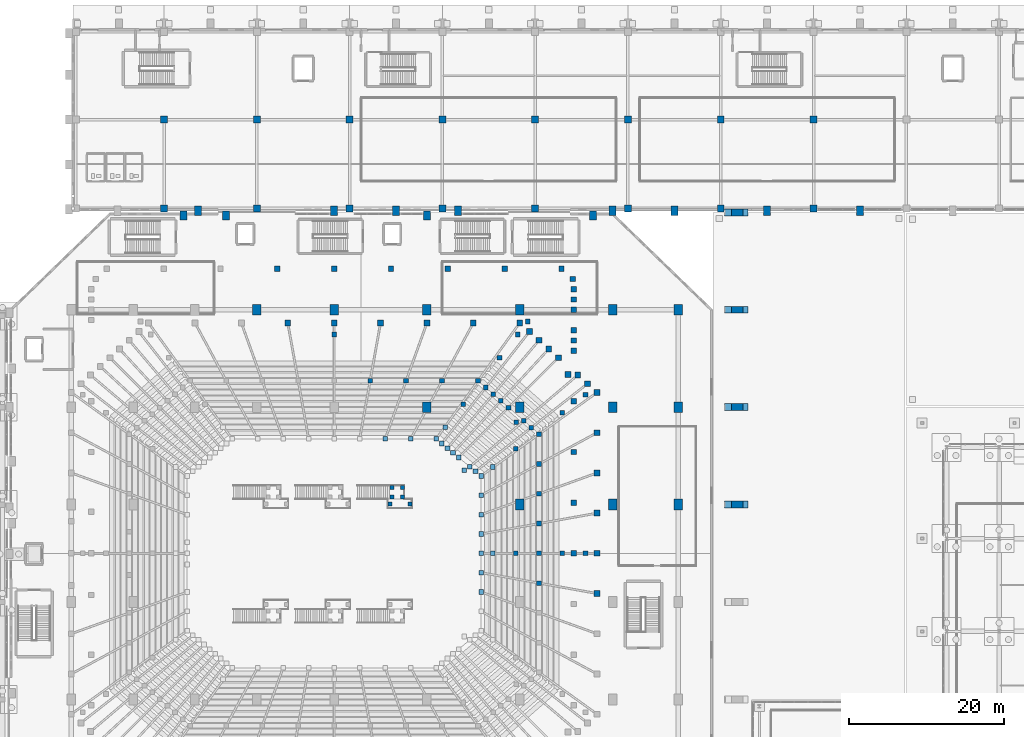
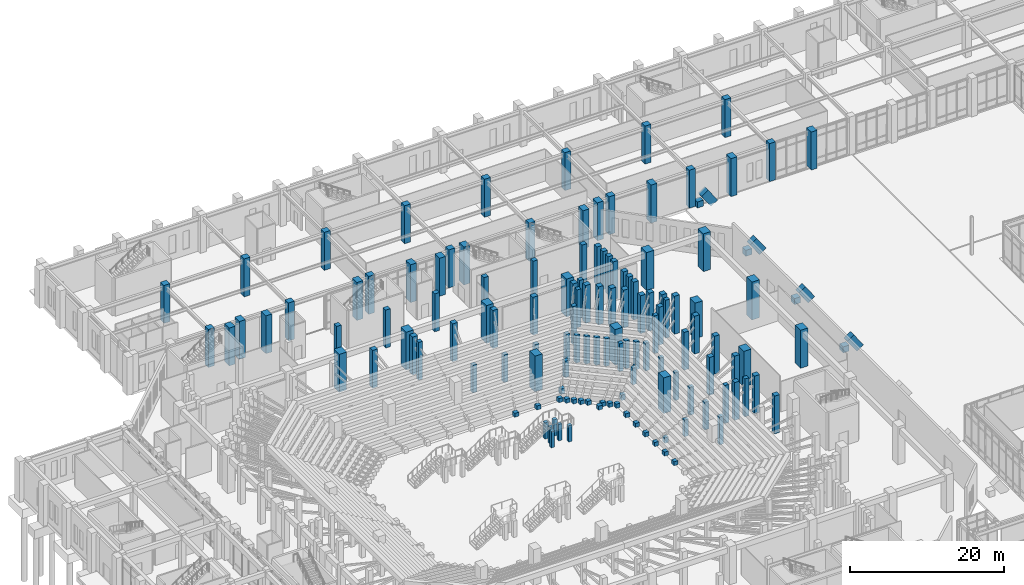
# One storey, part 12 of 143: 139 columns.
"""IFC4 building model written with IfcOpenShell, lengths in metres."""

from ifc_helpers import new_model, si_unit, derived_unit, direction, frame, origin, origin_2d, place, context, subcontext, project, spatial, rectangle, extrude, material, material_profile, profile_set, type_object, element, save


model = new_model("IFC4")

# Units and contexts
model_context = context("Model", 3, precision=1e-05, world=origin(), true_north=direction((0.0, 1.0)))
body_context = subcontext(model_context, "Body", "Model", "MODEL_VIEW")
ifc_project = project(units=[si_unit("LENGTHUNIT", "METRE"), si_unit("AREAUNIT", "SQUARE_METRE"), si_unit("VOLUMEUNIT", "CUBIC_METRE"), si_unit("PLANEANGLEUNIT", "RADIAN"), si_unit("MASSUNIT", "GRAM", prefix="KILO"), derived_unit("THERMALTRANSMITTANCEUNIT", [(si_unit("MASSUNIT", "GRAM", prefix="KILO"), 1), (si_unit("TIMEUNIT", "SECOND"), -3), (si_unit("THERMODYNAMICTEMPERATUREUNIT", "KELVIN"), -1)])], contexts=[model_context])

# Site, building, storey
site_placement = place(None, origin())
site = spatial("IfcSite", under=ifc_project, at=site_placement, CompositionType="ELEMENT")
building_placement = place(site_placement, origin())
building = spatial("IfcBuilding", under=site, at=building_placement, Name="Valcora Ridge Arena", CompositionType="ELEMENT")
storey_placement = place(building_placement, origin())
storey = spatial("IfcBuildingStorey", under=building, at=storey_placement, Name="L00", CompositionType="ELEMENT", Elevation=0.0)

# Columns
ifc_material_1 = material(Name="Bush-hammered Andean travertine architectural concrete C45/55", Category="masonry")
ifc_material_profile_1 = material_profile(ifc_material_1, rectangle(XDim=0.89990234375, YDim=1.199951171875, at=origin_2d()), Name="RC 900x1200")
ifc_profile_set_1 = profile_set([ifc_material_profile_1], Name="Bush-hammered Andean travertine architectural concrete C45/55")
column_type_1 = type_object("IfcColumnType", Name="TY-COLUMN-C-BUTT-1200", PredefinedType="PILASTER", material=ifc_profile_set_1)
for number, where, z_axis, x_axis, name in (
    (1, (38.5, 107.800048828125, 0.0), (0.0, 0.0, 1.0), (1.0, 0.0, 0.0), "C-BUTT-1200 COL-C-BUTT-1200-0018"),
    (2, (44.0, 107.800048828125, 0.0), (0.0, 0.0, 1.0), (1.0, 0.0, 0.0), "C-BUTT-1200 COL-C-BUTT-1200-0022"),
    (3, (70.0, 107.800048828125, 0.0), (0.0, 0.0, 1.0), (1.0, 0.0, 0.0), "C-BUTT-1200 COL-C-BUTT-1200-0026"),
    (4, (91.5, 107.800048828125, 0.0), (0.0, 0.0, 1.0), (1.0, 0.0, 0.0), "C-BUTT-1200 COL-C-BUTT-1200-0030"),
    (5, (40.39990234375, 108.419921875, 0.0), (0.0, 0.0, 1.0), (1.0, 0.0, 0.0), "C-BUTT-1200 COL-C-BUTT-1200-0332"),
    (6, (58.0, 108.419921875, 0.0), (0.0, 0.0, 1.0), (1.0, 0.0, 0.0), "C-BUTT-1200 COL-C-BUTT-1200-0336"),
    (7, (66.0, 108.419921875, 0.0), (0.0, 0.0, 1.0), (1.0, 0.0, 0.0), "C-BUTT-1200 COL-C-BUTT-1200-0340"),
    (8, (74.0, 108.419921875, 0.0), (0.0, 0.0, 1.0), (1.0, 0.0, 0.0), "C-BUTT-1200 COL-C-BUTT-1200-0344"),
    (9, (94.0, 108.419921875, 0.0), (0.0, 0.0, 1.0), (1.0, 0.0, 0.0), "C-BUTT-1200 COL-C-BUTT-1200-0348"),
    (10, (102.0, 108.419921875, 0.0), (0.0, 0.0, 1.0), (1.0, 0.0, 0.0), "C-BUTT-1200 COL-C-BUTT-1200-0352"),
    (11, (114.0, 108.419921875, 0.0), (0.0, 0.0, 1.0), (1.0, 0.0, 0.0), "C-BUTT-1200 COL-C-BUTT-1200-0356"),
    (12, (126.0, 108.419921875, 0.0), (0.0, 0.0, 1.0), (1.0, 0.0, 0.0), "C-BUTT-1200 COL-C-BUTT-1200-0360"),
):
    element("IfcColumn", number, at=place(storey_placement, frame(where, z_axis=z_axis, x_axis=x_axis)), inside=storey, type_object=column_type_1, Name=name, PredefinedType="PILASTER", context=body_context, shape_type="SweptSolid", body=[
        extrude(rectangle(XDim=0.89990234375, YDim=1.199951171875, at=origin_2d()), origin(), (0.0, 0.0, 1.0), 6.0),
    ])
ifc_material_2 = material(Name="Concrete C40/50", Category="concrete")
ifc_material_profile_2 = material_profile(ifc_material_2, rectangle(XDim=1.10009765625, YDim=1.39990234375, at=origin_2d()), Name="RC 1100x1400")
ifc_profile_set_2 = profile_set([ifc_material_profile_2], Name="Concrete C40/50")
column_type_2 = type_object("IfcColumnType", Name="TY-COLUMN-C-RC1100", PredefinedType="COLUMN", material=ifc_profile_set_2)
for number, where, z_axis, x_axis, name in (
    (13, (48.0, 95.60009765625, 0.0), (0.0, 0.0, 1.0), (1.0, 0.0, 0.0), "C-RC1100 COL-C-RC1100-0040"),
    (14, (58.0, 95.60009765625, 0.0), (0.0, 0.0, 1.0), (1.0, 0.0, 0.0), "C-RC1100 COL-C-RC1100-0048"),
):
    element("IfcColumn", number, at=place(storey_placement, frame(where, z_axis=z_axis, x_axis=x_axis)), inside=storey, type_object=column_type_2, Name=name, PredefinedType="COLUMN", context=body_context, shape_type="SweptSolid", body=[
        extrude(rectangle(XDim=1.10009765625, YDim=1.39990234375, at=origin_2d()), origin(), (0.0, 0.0, 1.0), 6.0),
    ])
column_1_placement = place(storey_placement, frame((70.0, 83.0, 0.0), z_axis=(0.0, 0.0, 1.0), x_axis=(1.0, 0.0, 0.0)))
element("IfcColumn", 15, at=column_1_placement, inside=storey, type_object=column_type_2, Name="C-RC1100 COL-C-RC1100-0054", PredefinedType="COLUMN", context=body_context, shape_type="SweptSolid", body=[
    extrude(rectangle(XDim=1.10009765625, YDim=1.39990234375, at=origin_2d()), origin(), (0.0, 0.0, 1.0), 5.639892578125),
])
column_2_placement = place(storey_placement, frame((70.0, 95.60009765625, 0.0), z_axis=(0.0, 0.0, 1.0), x_axis=(1.0, 0.0, 0.0)))
element("IfcColumn", 16, at=column_2_placement, inside=storey, type_object=column_type_2, Name="C-RC1100 COL-C-RC1100-0056", PredefinedType="COLUMN", context=body_context, shape_type="SweptSolid", body=[
    extrude(rectangle(XDim=1.10009765625, YDim=1.39990234375, at=origin_2d()), origin(), (0.0, 0.0, 1.0), 6.0),
])
for number, where, z_axis, x_axis, name in (
    (17, (82.0, 70.39990234375, 0.0), (0.0, 0.0, 1.0), (1.0, 0.0, 0.0), "C-RC1100 COL-C-RC1100-0064"),
    (18, (82.0, 83.0, 0.0), (0.0, 0.0, 1.0), (1.0, 0.0, 0.0), "C-RC1100 COL-C-RC1100-0066"),
):
    element("IfcColumn", number, at=place(storey_placement, frame(where, z_axis=z_axis, x_axis=x_axis)), inside=storey, type_object=column_type_2, Name=name, PredefinedType="COLUMN", context=body_context, shape_type="SweptSolid", body=[
        extrude(rectangle(XDim=1.10009765625, YDim=1.39990234375, at=origin_2d()), origin(), (0.0, 0.0, 1.0), 5.639892578125),
    ])
column_3_placement = place(storey_placement, frame((82.0, 95.60009765625, 0.0), z_axis=(0.0, 0.0, 1.0), x_axis=(1.0, 0.0, 0.0)))
element("IfcColumn", 19, at=column_3_placement, inside=storey, type_object=column_type_2, Name="C-RC1100 COL-C-RC1100-0068", PredefinedType="COLUMN", context=body_context, shape_type="SweptSolid", body=[
    extrude(rectangle(XDim=1.10009765625, YDim=1.39990234375, at=origin_2d()), origin(), (0.0, 0.0, 1.0), 6.0),
])
for number, where, z_axis, x_axis, name in (
    (20, (94.0, 70.39990234375, 0.0), (0.0, 0.0, 1.0), (1.0, 0.0, 0.0), "C-RC1100 COL-C-RC1100-0076"),
    (21, (94.0, 83.0, 0.0), (0.0, 0.0, 1.0), (1.0, 0.0, 0.0), "C-RC1100 COL-C-RC1100-0078"),
):
    element("IfcColumn", number, at=place(storey_placement, frame(where, z_axis=z_axis, x_axis=x_axis)), inside=storey, type_object=column_type_2, Name=name, PredefinedType="COLUMN", context=body_context, shape_type="SweptSolid", body=[
        extrude(rectangle(XDim=1.10009765625, YDim=1.39990234375, at=origin_2d()), origin(), (0.0, 0.0, 1.0), 5.639892578125),
    ])
for number, where, z_axis, x_axis, name in (
    (22, (94.0, 95.60009765625, 0.0), (0.0, 0.0, 1.0), (1.0, 0.0, 0.0), "C-RC1100 COL-C-RC1100-0080"),
    (23, (102.5, 70.39990234375, 0.0), (0.0, 0.0, 1.0), (1.0, 0.0, 0.0), "C-RC1100 COL-C-RC1100-0088"),
    (24, (102.5, 83.0, 0.0), (0.0, 0.0, 1.0), (1.0, 0.0, 0.0), "C-RC1100 COL-C-RC1100-0090"),
    (25, (102.5, 95.60009765625, 0.0), (0.0, 0.0, 1.0), (1.0, 0.0, 0.0), "C-RC1100 COL-C-RC1100-0092"),
):
    element("IfcColumn", number, at=place(storey_placement, frame(where, z_axis=z_axis, x_axis=x_axis)), inside=storey, type_object=column_type_2, Name=name, PredefinedType="COLUMN", context=body_context, shape_type="SweptSolid", body=[
        extrude(rectangle(XDim=1.10009765625, YDim=1.39990234375, at=origin_2d()), origin(), (0.0, 0.0, 1.0), 6.0),
    ])
ifc_material_profile_3 = material_profile(ifc_material_2, rectangle(XDim=0.89990234375, YDim=0.89990234375, at=origin_2d()), Name="RC 900x900")
ifc_profile_set_3 = profile_set([ifc_material_profile_3], Name="Concrete C40/50")
column_type_3 = type_object("IfcColumnType", Name="TY-COLUMN-C-RC900B", PredefinedType="COLUMN", material=ifc_profile_set_3)
for number, where, z_axis, x_axis, name in (
    (26, (36.0, 108.699951171875, 0.0), (0.0, 0.0, 1.0), (1.0, 0.0, 0.0), "C-RC900B COL-C-RC900B-0011"),
    (27, (36.0, 120.199951171875, 0.0), (0.0, 0.0, 1.0), (1.0, 0.0, 0.0), "C-RC900B COL-C-RC900B-0014"),
    (28, (48.0, 108.699951171875, 0.0), (0.0, 0.0, 1.0), (1.0, 0.0, 0.0), "C-RC900B COL-C-RC900B-0020"),
    (29, (48.0, 120.199951171875, 0.0), (0.0, 0.0, 1.0), (1.0, 0.0, 0.0), "C-RC900B COL-C-RC900B-0023"),
    (30, (60.0, 108.699951171875, 0.0), (0.0, 0.0, 1.0), (1.0, 0.0, 0.0), "C-RC900B COL-C-RC900B-0029"),
    (31, (60.0, 120.199951171875, 0.0), (0.0, 0.0, 1.0), (1.0, 0.0, 0.0), "C-RC900B COL-C-RC900B-0032"),
    (32, (72.0, 108.699951171875, 0.0), (0.0, 0.0, 1.0), (1.0, 0.0, 0.0), "C-RC900B COL-C-RC900B-0038"),
    (33, (72.0, 120.199951171875, 0.0), (0.0, 0.0, 1.0), (1.0, 0.0, 0.0), "C-RC900B COL-C-RC900B-0041"),
    (34, (84.0, 108.699951171875, 0.0), (0.0, 0.0, 1.0), (1.0, 0.0, 0.0), "C-RC900B COL-C-RC900B-0047"),
    (35, (84.0, 120.199951171875, 0.0), (0.0, 0.0, 1.0), (1.0, 0.0, 0.0), "C-RC900B COL-C-RC900B-0050"),
    (36, (96.0, 108.699951171875, 0.0), (0.0, 0.0, 1.0), (1.0, 0.0, 0.0), "C-RC900B COL-C-RC900B-0056"),
    (37, (96.0, 120.199951171875, 0.0), (0.0, 0.0, 1.0), (1.0, 0.0, 0.0), "C-RC900B COL-C-RC900B-0059"),
    (38, (108.0, 108.699951171875, 0.0), (0.0, 0.0, 1.0), (1.0, 0.0, 0.0), "C-RC900B COL-C-RC900B-0065"),
    (39, (108.0, 120.199951171875, 0.0), (0.0, 0.0, 1.0), (1.0, 0.0, 0.0), "C-RC900B COL-C-RC900B-0068"),
    (40, (120.0, 108.699951171875, 0.0), (0.0, 0.0, 1.0), (1.0, 0.0, 0.0), "C-RC900B COL-C-RC900B-0074"),
    (41, (120.0, 120.199951171875, 0.0), (0.0, 0.0, 1.0), (1.0, 0.0, 0.0), "C-RC900B COL-C-RC900B-0077"),
):
    element("IfcColumn", number, at=place(storey_placement, frame(where, z_axis=z_axis, x_axis=x_axis)), inside=storey, type_object=column_type_3, Name=name, PredefinedType="COLUMN", context=body_context, shape_type="SweptSolid", body=[
        extrude(rectangle(XDim=0.89990234375, YDim=0.89990234375, at=origin_2d()), origin(), (0.0, 0.0, 1.0), 6.0),
    ])
ifc_material_profile_4 = material_profile(ifc_material_2, rectangle(XDim=0.5, YDim=0.5, at=origin_2d()), Name="RC 500x500")
ifc_profile_set_4 = profile_set([ifc_material_profile_4], Name="Concrete C40/50")
column_type_4 = type_object("IfcColumnType", Name="TY-COLUMN-C-RKR500", PredefinedType="COLUMN", material=ifc_profile_set_4)
for number, where, z_axis, x_axis, name in (
    (42, (65.47998046875, 71.3798828125, 0.0), (0.0, 0.0, 1.0), (1.0, 0.0, 0.0), "C-RKR500 COL-VS-C-RKR500-0062"),
    (43, (65.47998046875, 72.6201171875, 0.0), (0.0, 0.0, 1.0), (1.0, 0.0, 0.0), "C-RKR500 COL-VS-C-RKR500-0064"),
    (44, (66.820068359375, 71.3798828125, 0.0), (0.0, 0.0, 1.0), (1.0, 0.0, 0.0), "C-RKR500 COL-VS-C-RKR500-0066"),
    (45, (66.820068359375, 72.6201171875, 0.0), (0.0, 0.0, 1.0), (1.0, 0.0, 0.0), "C-RKR500 COL-VS-C-RKR500-0068"),
    (46, (65.199951171875, 70.5, 0.0), (0.0, 0.0, 1.0), (1.0, 0.0, 0.0), "C-RKR500 COL-VS-C-RKR500-0070"),
    (47, (67.800048828125, 70.5, 0.0), (0.0, 0.0, 1.0), (1.0, 0.0, 0.0), "C-RKR500 COL-VS-C-RKR500-0072"),
):
    element("IfcColumn", number, at=place(storey_placement, frame(where, z_axis=z_axis, x_axis=x_axis)), inside=storey, type_object=column_type_4, Name=name, PredefinedType="COLUMN", context=body_context, shape_type="SweptSolid", body=[
        extrude(rectangle(XDim=0.5, YDim=0.5, at=origin_2d()), origin(), (0.0, 0.0, 1.0), 2.60009765625),
    ])
ifc_material_profile_5 = material_profile(ifc_material_2, rectangle(XDim=0.60009765625, YDim=0.60009765625, at=origin_2d()), Name="RC 600x600")
ifc_profile_set_5 = profile_set([ifc_material_profile_5], Name="Concrete C40/50")
column_type_5 = type_object("IfcColumnType", Name="TY-COLUMN-C-RKR600", PredefinedType="COLUMN", material=ifc_profile_set_5)
for number, where, z_axis, x_axis, name in (
    (48, (84.5, 60.25, 0.0), (0.0, 0.0, 1.0), (1.0, 0.0, 0.0), "C-RKR600 COL-RK-C-RKR600-0038"),
    (49, (84.5, 64.10009765625, 0.0), (0.0, 0.0, 1.0), (1.0, 0.0, 0.0), "C-RKR600 COL-RK-C-RKR600-0040"),
    (50, (84.5, 67.949951171875, 0.0), (0.0, 0.0, 1.0), (1.0, 0.0, 0.0), "C-RKR600 COL-RK-C-RKR600-0042"),
    (51, (84.5, 71.800048828125, 0.0), (0.0, 0.0, 1.0), (1.0, 0.0, 0.0), "C-RKR600 COL-RK-C-RKR600-0044"),
    (52, (84.5, 75.64990234375, 0.0), (0.0, 0.0, 1.0), (1.0, 0.0, 0.0), "C-RKR600 COL-RK-C-RKR600-0046"),
    (53, (84.5, 79.5, 0.0), (0.0, 0.0, 1.0), (1.0, 0.0, 0.0), "C-RKR600 COL-RK-C-RKR600-0048"),
    (54, (83.512451171875, 80.362548828125, 0.0), (0.0, 0.0, 1.0), (1.0, 0.0, 0.0), "C-RKR600 COL-RK-C-RKR600-0050"),
    (55, (82.52490234375, 81.22509765625, 0.0), (0.0, 0.0, 1.0), (1.0, 0.0, 0.0), "C-RKR600 COL-RK-C-RKR600-0052"),
    (56, (80.550048828125, 82.949951171875, 0.0), (0.0, 0.0, 1.0), (1.0, 0.0, 0.0), "C-RKR600 COL-RK-C-RKR600-0054"),
    (57, (79.5625, 83.8125, 0.0), (0.0, 0.0, 1.0), (1.0, 0.0, 0.0), "C-RKR600 COL-RK-C-RKR600-0056"),
    (58, (78.574951171875, 84.675048828125, 0.0), (0.0, 0.0, 1.0), (1.0, 0.0, 0.0), "C-RKR600 COL-RK-C-RKR600-0058"),
    (59, (77.58740234375, 85.53759765625, 0.0), (0.0, 0.0, 1.0), (1.0, 0.0, 0.0), "C-RKR600 COL-RK-C-RKR600-0060"),
    (60, (76.60009765625, 86.39990234375, 0.0), (0.0, 0.0, 1.0), (1.0, 0.0, 0.0), "C-RKR600 COL-RK-C-RKR600-0062"),
    (61, (71.949951171875, 86.39990234375, 0.0), (0.0, 0.0, 1.0), (1.0, 0.0, 0.0), "C-RKR600 COL-RK-C-RKR600-0064"),
    (62, (67.300048828125, 86.39990234375, 0.0), (0.0, 0.0, 1.0), (1.0, 0.0, 0.0), "C-RKR600 COL-RK-C-RKR600-0066"),
    (63, (62.64990234375, 86.39990234375, 0.0), (0.0, 0.0, 1.0), (1.0, 0.0, 0.0), "C-RKR600 COL-RK-C-RKR600-0068"),
    (64, (81.53759765625, 81.03759765625, 0.0), (0.0, 0.0, 1.0), (1.0, 0.0, 0.0), "C-RKR600 COL-RKN-C-RKR600-0004"),
):
    element("IfcColumn", number, at=place(storey_placement, frame(where, z_axis=z_axis, x_axis=x_axis)), inside=storey, type_object=column_type_5, Name=name, PredefinedType="COLUMN", context=body_context, shape_type="SweptSolid", body=[
        extrude(rectangle(XDim=0.60009765625, YDim=0.60009765625, at=origin_2d()), origin(), (0.0, 0.0, 1.0), 4.39990234375),
    ])
ifc_material_profile_6 = material_profile(ifc_material_2, rectangle(XDim=0.60009765625, YDim=0.60009765625, at=origin_2d()), Name="RC 600x600")
ifc_profile_set_6 = profile_set([ifc_material_profile_6], Name="Concrete C40/50")
column_type_6 = type_object("IfcColumnType", Name="TY-COLUMN-C-RKR600I", PredefinedType="COLUMN", material=ifc_profile_set_6)
for number, where, z_axis, x_axis, name in (
    (65, (77.0, 59.10009765625, 0.0), (0.0, 0.0, 1.0), (1.0, 0.0, 0.0), "C-RKR600I COL-RK-C-RKR600I-0036"),
    (66, (77.0, 61.60009765625, 0.0), (0.0, 0.0, 1.0), (1.0, 0.0, 0.0), "C-RKR600I COL-RK-C-RKR600I-0038"),
    (67, (77.0, 64.10009765625, 0.0), (0.0, 0.0, 1.0), (1.0, 0.0, 0.0), "C-RKR600I COL-RK-C-RKR600I-0040"),
    (68, (77.0, 66.60009765625, 0.0), (0.0, 0.0, 1.0), (1.0, 0.0, 0.0), "C-RKR600I COL-RK-C-RKR600I-0042"),
    (69, (77.0, 69.10009765625, 0.0), (0.0, 0.0, 1.0), (1.0, 0.0, 0.0), "C-RKR600I COL-RK-C-RKR600I-0044"),
    (70, (77.0, 71.60009765625, 0.0), (0.0, 0.0, 1.0), (1.0, 0.0, 0.0), "C-RKR600I COL-RK-C-RKR600I-0046"),
    (71, (77.0, 74.10009765625, 0.0), (0.0, 0.0, 1.0), (1.0, 0.0, 0.0), "C-RKR600I COL-RK-C-RKR600I-0048"),
    (72, (76.27490234375, 74.699951171875, 0.0), (0.0, 0.0, 1.0), (1.0, 0.0, 0.0), "C-RKR600I COL-RK-C-RKR600I-0050"),
    (73, (75.550048828125, 75.300048828125, 0.0), (0.0, 0.0, 1.0), (1.0, 0.0, 0.0), "C-RKR600I COL-RK-C-RKR600I-0052"),
    (74, (74.10009765625, 76.5, 0.0), (0.0, 0.0, 1.0), (1.0, 0.0, 0.0), "C-RKR600I COL-RK-C-RKR600I-0054"),
    (75, (73.375, 77.10009765625, 0.0), (0.0, 0.0, 1.0), (1.0, 0.0, 0.0), "C-RKR600I COL-RK-C-RKR600I-0056"),
    (76, (72.64990234375, 77.699951171875, 0.0), (0.0, 0.0, 1.0), (1.0, 0.0, 0.0), "C-RKR600I COL-RK-C-RKR600I-0058"),
    (77, (71.925048828125, 78.300048828125, 0.0), (0.0, 0.0, 1.0), (1.0, 0.0, 0.0), "C-RKR600I COL-RK-C-RKR600I-0060"),
    (78, (71.199951171875, 78.89990234375, 0.0), (0.0, 0.0, 1.0), (1.0, 0.0, 0.0), "C-RKR600I COL-RK-C-RKR600I-0062"),
    (79, (67.89990234375, 78.89990234375, 0.0), (0.0, 0.0, 1.0), (1.0, 0.0, 0.0), "C-RKR600I COL-RK-C-RKR600I-0064"),
    (80, (64.60009765625, 78.89990234375, 0.0), (0.0, 0.0, 1.0), (1.0, 0.0, 0.0), "C-RKR600I COL-RK-C-RKR600I-0066"),
    (81, (74.824951171875, 74.85009765625, 0.0), (0.0, 0.0, 1.0), (1.0, 0.0, 0.0), "C-RKR600I COL-RKN-C-RKR600I-0004"),
):
    element("IfcColumn", number, at=place(storey_placement, frame(where, z_axis=z_axis, x_axis=x_axis)), inside=storey, type_object=column_type_6, Name=name, PredefinedType="COLUMN", context=body_context, shape_type="SweptSolid", body=[
        extrude(rectangle(XDim=0.60009765625, YDim=0.60009765625, at=origin_2d()), origin(), (0.0, 0.0, 1.0), 0.64990234375),
    ])
for number, where, z_axis, x_axis, name in (
    (82, (78.5, 64.10009765625, 0.0), (0.0, 0.0, 1.0), (1.0, 0.0, 0.0), "C-RKR600I COL-R2-C-RKR600I-0005"),
    (83, (78.5, 75.27001953125, 0.0), (0.0, 0.0, 1.0), (1.0, 0.0, 0.0), "C-RKR600I COL-R2-C-RKR600I-0006"),
    (84, (72.3701171875, 80.39990234375, 0.0), (0.0, 0.0, 1.0), (1.0, 0.0, 0.0), "C-RKR600I COL-R2-C-RKR600I-0007"),
):
    element("IfcColumn", number, at=place(storey_placement, frame(where, z_axis=z_axis, x_axis=x_axis)), inside=storey, type_object=column_type_6, Name=name, PredefinedType="COLUMN", context=body_context, shape_type="SweptSolid", body=[
        extrude(rectangle(XDim=0.60009765625, YDim=0.60009765625, at=origin_2d()), origin(), (0.0, 0.0, 1.0), 0.85498046875),
    ])
for number, where, z_axis, x_axis, name in (
    (85, (81.5, 64.10009765625, 0.0), (0.0, 0.0, 1.0), (1.0, 0.0, 0.0), "C-RKR600I COL-R2-C-RKR600I-0016"),
    (86, (81.5, 77.610107421875, 0.0), (0.0, 0.0, 1.0), (1.0, 0.0, 0.0), "C-RKR600I COL-R2-C-RKR600I-0017"),
    (87, (74.7099609375, 83.39990234375, 0.0), (0.0, 0.0, 1.0), (1.0, 0.0, 0.0), "C-RKR600I COL-R2-C-RKR600I-0018"),
):
    element("IfcColumn", number, at=place(storey_placement, frame(where, z_axis=z_axis, x_axis=x_axis)), inside=storey, type_object=column_type_6, Name=name, PredefinedType="COLUMN", context=body_context, shape_type="SweptSolid", body=[
        extrude(rectangle(XDim=0.60009765625, YDim=0.60009765625, at=origin_2d()), origin(), (0.0, 0.0, 1.0), 2.614990234375),
    ])
for number, where, z_axis, x_axis, name in (
    (88, (87.5, 64.10009765625, 0.0), (0.0, 0.0, 1.0), (1.0, 0.0, 0.0), "C-RKR600I COL-R2-C-RKR600I-0026"),
    (89, (87.5, 82.2900390625, 0.0), (0.0, 0.0, 1.0), (1.0, 0.0, 0.0), "C-RKR600I COL-R2-C-RKR600I-0027"),
    (90, (79.389892578125, 89.39990234375, 0.0), (0.0, 0.0, 1.0), (1.0, 0.0, 0.0), "C-RKR600I COL-R2-C-RKR600I-0028"),
    (91, (90.5, 64.10009765625, 0.0), (0.0, 0.0, 1.0), (1.0, 0.0, 0.0), "C-RKR600I COL-R2-C-RKR600I-0041"),
    (92, (90.5, 84.6298828125, 0.0), (0.0, 0.0, 1.0), (1.0, 0.0, 0.0), "C-RKR600I COL-R2-C-RKR600I-0043"),
    (93, (81.72998046875, 92.39990234375, 0.0), (0.0, 0.0, 1.0), (1.0, 0.0, 0.0), "C-RKR600I COL-R2-C-RKR600I-0045"),
    (94, (58.0, 92.39990234375, 0.0), (0.0, 0.0, 1.0), (1.0, 0.0, 0.0), "C-RKR600I COL-R2-C-RKR600I-0047"),
    (95, (83.040283203125, 94.080078125, 0.0), (0.0, 0.0, 1.0), (1.0, 0.0, 0.0), "C-RKR600I COL-R2-C-RKR600I-0061"),
):
    element("IfcColumn", number, at=place(storey_placement, frame(where, z_axis=z_axis, x_axis=x_axis)), inside=storey, type_object=column_type_6, Name=name, PredefinedType="COLUMN", context=body_context, shape_type="SweptSolid", body=[
        extrude(rectangle(XDim=0.60009765625, YDim=0.60009765625, at=origin_2d()), origin(), (0.0, 0.0, 1.0), 6.0),
    ])
ifc_material_profile_7 = material_profile(ifc_material_2, rectangle(XDim=0.75, YDim=0.75, at=origin_2d()), Name="RC 750x750")
ifc_profile_set_7 = profile_set([ifc_material_profile_7], Name="Concrete C40/50")
column_type_7 = type_object("IfcColumnType", Name="TY-COLUMN-C-RKR750", PredefinedType="COLUMN", material=ifc_profile_set_7)
for number, where, z_axis, x_axis, name in (
    (96, (92.0, 58.89990234375, 0.0), (0.0, 0.0, 1.0), (1.0, 0.0, 0.0), "C-RKR750 COL-RK-C-RKR750-0038"),
    (97, (92.0, 64.10009765625, 0.0), (0.0, 0.0, 1.0), (1.0, 0.0, 0.0), "C-RKR750 COL-RK-C-RKR750-0040"),
    (98, (92.0, 69.300048828125, 0.0), (0.0, 0.0, 1.0), (1.0, 0.0, 0.0), "C-RKR750 COL-RK-C-RKR750-0042"),
    (99, (92.0, 74.5, 0.0), (0.0, 0.0, 1.0), (1.0, 0.0, 0.0), "C-RKR750 COL-RK-C-RKR750-0044"),
    (100, (92.0, 79.699951171875, 0.0), (0.0, 0.0, 1.0), (1.0, 0.0, 0.0), "C-RKR750 COL-RK-C-RKR750-0046"),
    (101, (92.0, 84.89990234375, 0.0), (0.0, 0.0, 1.0), (1.0, 0.0, 0.0), "C-RKR750 COL-RK-C-RKR750-0048"),
    (102, (90.75, 86.02490234375, 0.0), (0.0, 0.0, 1.0), (1.0, 0.0, 0.0), "C-RKR750 COL-RK-C-RKR750-0050"),
    (103, (89.5, 87.14990234375, 0.0), (0.0, 0.0, 1.0), (1.0, 0.0, 0.0), "C-RKR750 COL-RK-C-RKR750-0052"),
    (104, (87.0, 89.39990234375, 0.0), (0.0, 0.0, 1.0), (1.0, 0.0, 0.0), "C-RKR750 COL-RK-C-RKR750-0054"),
    (105, (85.75, 90.52490234375, 0.0), (0.0, 0.0, 1.0), (1.0, 0.0, 0.0), "C-RKR750 COL-RK-C-RKR750-0056"),
    (106, (84.5, 91.64990234375, 0.0), (0.0, 0.0, 1.0), (1.0, 0.0, 0.0), "C-RKR750 COL-RK-C-RKR750-0058"),
    (107, (83.25, 92.77490234375, 0.0), (0.0, 0.0, 1.0), (1.0, 0.0, 0.0), "C-RKR750 COL-RK-C-RKR750-0060"),
    (108, (82.0, 93.89990234375, 0.0), (0.0, 0.0, 1.0), (1.0, 0.0, 0.0), "C-RKR750 COL-RK-C-RKR750-0062"),
    (109, (76.0, 93.89990234375, 0.0), (0.0, 0.0, 1.0), (1.0, 0.0, 0.0), "C-RKR750 COL-RK-C-RKR750-0064"),
    (110, (70.0, 93.89990234375, 0.0), (0.0, 0.0, 1.0), (1.0, 0.0, 0.0), "C-RKR750 COL-RK-C-RKR750-0066"),
    (111, (64.0, 93.89990234375, 0.0), (0.0, 0.0, 1.0), (1.0, 0.0, 0.0), "C-RKR750 COL-RK-C-RKR750-0068"),
    (112, (58.0, 93.89990234375, 0.0), (0.0, 0.0, 1.0), (1.0, 0.0, 0.0), "C-RKR750 COL-RK-C-RKR750-0070"),
    (113, (52.0, 93.89990234375, 0.0), (0.0, 0.0, 1.0), (1.0, 0.0, 0.0), "C-RKR750 COL-RK-C-RKR750-0072"),
    (114, (88.25, 87.22509765625, 0.0), (0.0, 0.0, 1.0), (1.0, 0.0, 0.0), "C-RKR750 COL-RKN-C-RKR750-0004"),
):
    element("IfcColumn", number, at=place(storey_placement, frame(where, z_axis=z_axis, x_axis=x_axis)), inside=storey, type_object=column_type_7, Name=name, PredefinedType="COLUMN", context=body_context, shape_type="SweptSolid", body=[
        extrude(rectangle(XDim=0.75, YDim=0.75, at=origin_2d()), origin(), (0.0, 0.0, 1.0), 6.0),
    ])
ifc_material_profile_8 = material_profile(ifc_material_2, rectangle(XDim=0.699951171875, YDim=0.699951171875, at=origin_2d()), Name="RC 700x700")
ifc_profile_set_8 = profile_set([ifc_material_profile_8], Name="Concrete C40/50")
column_type_8 = type_object("IfcColumnType", Name="TY-COLUMN-C-RKRU700B", PredefinedType="COLUMN", material=ifc_profile_set_8)
for number, where, z_axis, x_axis, name in (
    (115, (89.0, 64.10009765625, 0.0), (0.0, 0.0, 1.0), (1.0, 0.0, 0.0), "C-RKRU700B COL-RK-C-RKRU700B-0097"),
    (116, (89.0, 70.64990234375, 0.0), (0.0, 0.0, 1.0), (1.0, 0.0, 0.0), "C-RKRU700B COL-RK-C-RKRU700B-0102"),
    (117, (89.0, 77.199951171875, 0.0), (0.0, 0.0, 1.0), (1.0, 0.0, 0.0), "C-RKRU700B COL-RK-C-RKRU700B-0107"),
    (118, (89.0, 83.75, 0.0), (0.0, 0.0, 1.0), (1.0, 0.0, 0.0), "C-RKRU700B COL-RK-C-RKRU700B-0112"),
    (119, (89.0, 90.300048828125, 0.0), (0.0, 0.0, 1.0), (1.0, 0.0, 0.0), "C-RKRU700B COL-RK-C-RKRU700B-0117"),
    (120, (89.0, 91.625, 0.0), (0.0, 0.0, 1.0), (1.0, 0.0, 0.0), "C-RKRU700B COL-RK-C-RKRU700B-0122"),
    (121, (89.0, 92.949951171875, 0.0), (0.0, 0.0, 1.0), (1.0, 0.0, 0.0), "C-RKRU700B COL-RK-C-RKRU700B-0127"),
    (122, (89.0, 95.60009765625, 0.0), (0.0, 0.0, 1.0), (1.0, 0.0, 0.0), "C-RKRU700B COL-RK-C-RKRU700B-0132"),
    (123, (89.0, 96.925048828125, 0.0), (0.0, 0.0, 1.0), (1.0, 0.0, 0.0), "C-RKRU700B COL-RK-C-RKRU700B-0137"),
    (124, (89.0, 98.25, 0.0), (0.0, 0.0, 1.0), (1.0, 0.0, 0.0), "C-RKRU700B COL-RK-C-RKRU700B-0142"),
    (125, (88.85009765625, 99.574951171875, 0.0), (0.0, 0.0, 1.0), (1.0, 0.0, 0.0), "C-RKRU700B COL-RK-C-RKRU700B-0147"),
    (126, (87.39990234375, 100.89990234375, 0.0), (0.0, 0.0, 1.0), (1.0, 0.0, 0.0), "C-RKRU700B COL-RK-C-RKRU700B-0152"),
    (127, (80.050048828125, 100.89990234375, 0.0), (0.0, 0.0, 1.0), (1.0, 0.0, 0.0), "C-RKRU700B COL-RK-C-RKRU700B-0157"),
    (128, (72.699951171875, 100.89990234375, 0.0), (0.0, 0.0, 1.0), (1.0, 0.0, 0.0), "C-RKRU700B COL-RK-C-RKRU700B-0162"),
    (129, (65.35009765625, 100.89990234375, 0.0), (0.0, 0.0, 1.0), (1.0, 0.0, 0.0), "C-RKRU700B COL-RK-C-RKRU700B-0167"),
    (130, (58.0, 100.89990234375, 0.0), (0.0, 0.0, 1.0), (1.0, 0.0, 0.0), "C-RKRU700B COL-RK-C-RKRU700B-0172"),
    (131, (50.64990234375, 100.89990234375, 0.0), (0.0, 0.0, 1.0), (1.0, 0.0, 0.0), "C-RKRU700B COL-RK-C-RKRU700B-0177"),
):
    element("IfcColumn", number, at=place(storey_placement, frame(where, z_axis=z_axis, x_axis=x_axis)), inside=storey, type_object=column_type_8, Name=name, PredefinedType="COLUMN", context=body_context, shape_type="SweptSolid", body=[
        extrude(rectangle(XDim=0.699951171875, YDim=0.699951171875, at=origin_2d()), origin(), (0.0, 0.0, 1.0), 6.0),
    ])
ifc_material_3 = material(Name="Concrete C45/55", Category="concrete")
ifc_material_profile_9 = material_profile(ifc_material_3, rectangle(XDim=0.89990234375, YDim=0.89990234375, at=origin_2d()), Name="RC 900x900")
ifc_profile_set_9 = profile_set([ifc_material_profile_9], Name="Concrete C45/55")
column_type_9 = type_object("IfcColumnType", Name="TY-COLUMN-C-SHOE-900", PredefinedType="COLUMN", material=ifc_profile_set_9)
for number, where, z_axis, x_axis, name in (
    (132, (108.909912109375, 70.39990234375, 0.0), (0.0, 0.0, 1.0), (1.0, 0.0, 0.0), "C-SHOE-900 COL-SH-C-SHOE-900-0010"),
    (133, (108.909912109375, 83.0, 0.0), (0.0, 0.0, 1.0), (1.0, 0.0, 0.0), "C-SHOE-900 COL-SH-C-SHOE-900-0012"),
    (134, (108.909912109375, 95.60009765625, 0.0), (0.0, 0.0, 1.0), (1.0, 0.0, 0.0), "C-SHOE-900 COL-SH-C-SHOE-900-0014"),
    (135, (108.909912109375, 108.199951171875, 0.0), (0.0, 0.0, 1.0), (1.0, 0.0, 0.0), "C-SHOE-900 COL-SH-C-SHOE-900-0016"),
):
    element("IfcColumn", number, at=place(storey_placement, frame(where, z_axis=z_axis, x_axis=x_axis)), inside=storey, type_object=column_type_9, Name=name, PredefinedType="COLUMN", context=body_context, shape_type="SweptSolid", body=[
        extrude(rectangle(XDim=0.89990234375, YDim=0.89990234375, at=origin_2d()), origin(), (0.0, 0.0, 1.0), 0.949951171875),
    ])
ifc_material_profile_10 = material_profile(ifc_material_1, rectangle(XDim=0.89990234375, YDim=1.199951171875, at=origin_2d()), Name="RC 900x1200")
ifc_profile_set_10 = profile_set([ifc_material_profile_10], Name="Bush-hammered Andean travertine architectural concrete C45/55")
column_type_10 = type_object("IfcColumnType", Name="TY-COLUMN-MC-BUTTRESS", PredefinedType="PILASTER", material=ifc_profile_set_10)
for number, where, z_axis, x_axis, name in (
    (136, (111.009521484375, 70.39990234375, -0.094970703125), (-0.567496326798, 0.0, 0.823375928159), (0.0, -1.0, 0.0), "Flying-Buttress Mega Column MC-BUTTRESS"),
    (137, (111.009521484375, 83.0, -0.094970703125), (-0.567496326798, 0.0, 0.823375928159), (0.0, -1.0, 0.0), "Flying-Buttress Mega Column MC-BUTTRESS"),
    (138, (111.009521484375, 95.60009765625, -0.094970703125), (-0.567496326798, 0.0, 0.823375928159), (0.0, -1.0, 0.0), "Flying-Buttress Mega Column MC-BUTTRESS"),
    (139, (111.009521484375, 108.199951171875, -0.094970703125), (-0.567496326798, 0.0, 0.823375928159), (0.0, -1.0, 0.0), "Flying-Buttress Mega Column MC-BUTTRESS"),
):
    element("IfcColumn", number, at=place(storey_placement, frame(where, z_axis=z_axis, x_axis=x_axis)), inside=storey, type_object=column_type_10, Name=name, PredefinedType="PILASTER", context=body_context, shape_type="SweptSolid", body=[
        extrude(rectangle(XDim=0.89990234375, YDim=1.199951171875, at=origin_2d()), origin(), (0.0, 0.0, 1.0), 2.483642578125),
    ])

save(model, "model.ifc")
